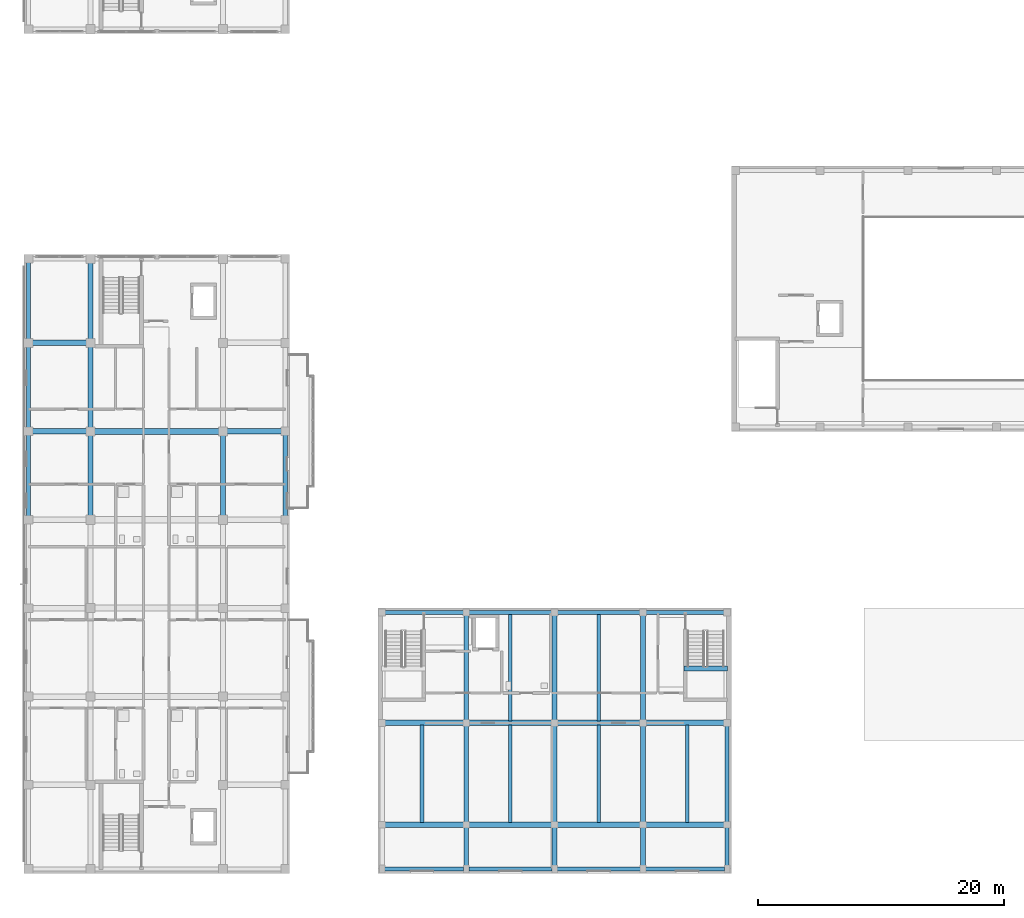
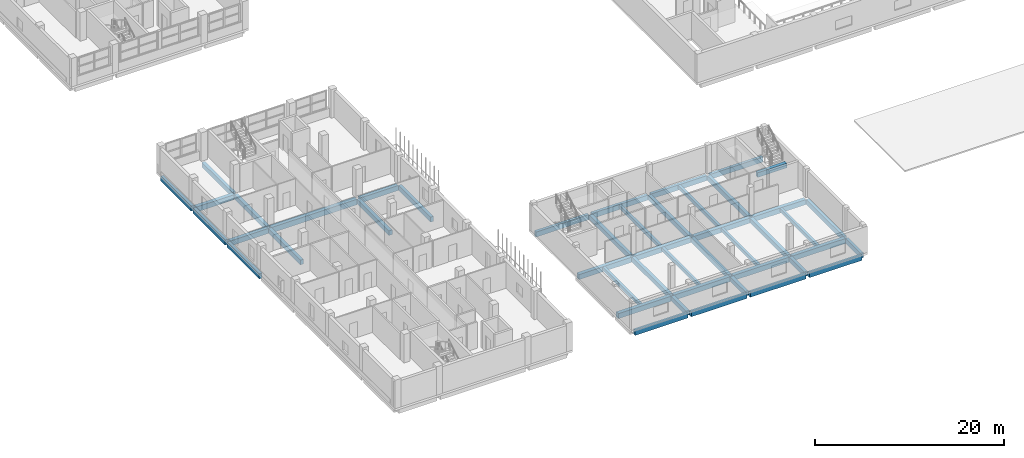
# One storey, part 9 of 73: 46 beams.
"""IFC4 building model written with IfcOpenShell, lengths in metres."""

from ifc_helpers import new_model, si_unit, derived_unit, direction, frame, origin, origin_2d, place, context, subcontext, project, spatial, rectangle, extrude, material, material_profile, profile_set, type_object, element, save


model = new_model("IFC4")

# Units and contexts
model_context = context("Model", 3, precision=1e-05, world=origin(), true_north=direction((0.0, 1.0)))
body_context = subcontext(model_context, "Body", "Model", "MODEL_VIEW")
ifc_project = project(units=[si_unit("LENGTHUNIT", "METRE"), si_unit("AREAUNIT", "SQUARE_METRE"), si_unit("VOLUMEUNIT", "CUBIC_METRE"), si_unit("PLANEANGLEUNIT", "RADIAN"), si_unit("MASSUNIT", "GRAM", prefix="KILO"), derived_unit("THERMALTRANSMITTANCEUNIT", [(si_unit("MASSUNIT", "GRAM", prefix="KILO"), 1), (si_unit("TIMEUNIT", "SECOND"), -3), (si_unit("THERMODYNAMICTEMPERATUREUNIT", "KELVIN"), -1)])], contexts=[model_context])

# Site, building, storey
site_placement = place(None, origin())
site = spatial("IfcSite", under=ifc_project, at=site_placement, CompositionType="ELEMENT")
building_placement = place(site_placement, origin())
building = spatial("IfcBuilding", under=site, at=building_placement, Name="Ochrekiln Boulevard Commons", CompositionType="ELEMENT")
storey_placement = place(building_placement, frame((0.0, 0.0, 4.89990234375)))
storey = spatial("IfcBuildingStorey", under=building, at=storey_placement, Name="L01", CompositionType="ELEMENT", Elevation=4.89990234375)

# Beams
ifc_material_1 = material(Name="Concrete C35/45", Category="concrete")
ifc_material_profile_1 = material_profile(ifc_material_1, rectangle(XDim=0.39990234375, YDim=0.60009765625, at=origin_2d()), Name="RC-BM-400x600")
ifc_profile_set_1 = profile_set([ifc_material_profile_1], Name="Concrete C35/45")
beam_type_1 = type_object("IfcBeamType", Name="BM-RC-400x600", PredefinedType="BEAM", material=ifc_profile_set_1)
for number, where, z_axis, x_axis, name in (
    (1, (5.39990234375, 29.010009765625, -0.559814453125), (0.0, 1.0, 0.0), (-1.0, 0.0, 0.0), "Block D L01 Beam B-4060 Y34"),
    (2, (5.39990234375, 36.2099609375, -0.559814453125), (0.0, 1.0, 0.0), (-1.0, 0.0, 0.0), "Block D L01 Beam B-4060 Y35"),
):
    element("IfcBeam", number, at=place(storey_placement, frame(where, z_axis=z_axis, x_axis=x_axis)), inside=storey, type_object=beam_type_1, Name=name, PredefinedType="BEAM", context=body_context, shape_type="SweptSolid", body=[
        extrude(rectangle(XDim=0.39990234375, YDim=0.60009765625, at=origin_2d()), origin(), (0.0, 0.0, 1.0), 6.780029296875),
    ])
beam_1_placement = place(storey_placement, frame((5.39990234375, 43.409912109375, -0.559814453125), z_axis=(0.0, 1.0, 0.0), x_axis=(-1.0, 0.0, 0.0)))
element("IfcBeam", 3, at=beam_1_placement, inside=storey, type_object=beam_type_1, Name="Block D L01 Beam B-4060 Y36", PredefinedType="BEAM", context=body_context, shape_type="SweptSolid", body=[
    extrude(rectangle(XDim=0.39990234375, YDim=0.60009765625, at=origin_2d()), origin(), (0.0, 0.0, 1.0), 6.43017578125),
])
beam_2_placement = place(storey_placement, frame((16.199951171875, 29.010009765625, -0.559814453125), z_axis=(0.0, 1.0, 0.0), x_axis=(-1.0, 0.0, 0.0)))
element("IfcBeam", 4, at=beam_2_placement, inside=storey, type_object=beam_type_1, Name="Block D L01 Beam B-4060 Y41", PredefinedType="BEAM", context=body_context, shape_type="SweptSolid", body=[
    extrude(rectangle(XDim=0.39990234375, YDim=0.60009765625, at=origin_2d()), origin(), (0.0, 0.0, 1.0), 6.780029296875),
])
beam_3_placement = place(storey_placement, frame((36.0, 0.56005859375, -0.574951171875), z_axis=(0.0, 1.0, 0.0), x_axis=(-1.0, 0.0, 0.0)))
element("IfcBeam", 5, at=beam_3_placement, inside=storey, type_object=beam_type_1, Name="West Boulevard Shops and Arcade L01 Beam B-4060 Y19", PredefinedType="BEAM", context=body_context, shape_type="SweptSolid", body=[
    extrude(rectangle(XDim=0.39990234375, YDim=0.60009765625, at=origin_2d()), origin(), (0.0, 0.0, 1.0), 3.179931640625),
])
beam_4_placement = place(storey_placement, frame((36.0, 4.159912109375, -0.574951171875), z_axis=(0.0, 1.0, 0.0), x_axis=(-1.0, 0.0, 0.0)))
element("IfcBeam", 6, at=beam_4_placement, inside=storey, type_object=beam_type_1, Name="West Boulevard Shops and Arcade L01 Beam B-4060 Y20", PredefinedType="BEAM", context=body_context, shape_type="SweptSolid", body=[
    extrude(rectangle(XDim=0.39990234375, YDim=0.60009765625, at=origin_2d()), origin(), (0.0, 0.0, 1.0), 7.880126953125),
])
beam_5_placement = place(storey_placement, frame((36.0, 12.4599609375, -0.574951171875), z_axis=(0.0, 1.0, 0.0), x_axis=(-1.0, 0.0, 0.0)))
element("IfcBeam", 7, at=beam_5_placement, inside=storey, type_object=beam_type_1, Name="West Boulevard Shops and Arcade L01 Beam B-4060 Y21", PredefinedType="BEAM", context=body_context, shape_type="SweptSolid", body=[
    extrude(rectangle(XDim=0.39990234375, YDim=0.60009765625, at=origin_2d()), origin(), (0.0, 0.0, 1.0), 8.580078125),
])
beam_6_placement = place(storey_placement, frame((43.199951171875, 0.56005859375, -0.574951171875), z_axis=(0.0, 1.0, 0.0), x_axis=(-1.0, 0.0, 0.0)))
element("IfcBeam", 8, at=beam_6_placement, inside=storey, type_object=beam_type_1, Name="West Boulevard Shops and Arcade L01 Beam B-4060 Y22", PredefinedType="BEAM", context=body_context, shape_type="SweptSolid", body=[
    extrude(rectangle(XDim=0.39990234375, YDim=0.60009765625, at=origin_2d()), origin(), (0.0, 0.0, 1.0), 3.179931640625),
])
beam_7_placement = place(storey_placement, frame((43.199951171875, 4.159912109375, -0.574951171875), z_axis=(0.0, 1.0, 0.0), x_axis=(-1.0, 0.0, 0.0)))
element("IfcBeam", 9, at=beam_7_placement, inside=storey, type_object=beam_type_1, Name="West Boulevard Shops and Arcade L01 Beam B-4060 Y23", PredefinedType="BEAM", context=body_context, shape_type="SweptSolid", body=[
    extrude(rectangle(XDim=0.39990234375, YDim=0.60009765625, at=origin_2d()), origin(), (0.0, 0.0, 1.0), 7.880126953125),
])
beam_8_placement = place(storey_placement, frame((43.199951171875, 12.4599609375, -0.574951171875), z_axis=(0.0, 1.0, 0.0), x_axis=(-1.0, 0.0, 0.0)))
element("IfcBeam", 10, at=beam_8_placement, inside=storey, type_object=beam_type_1, Name="West Boulevard Shops and Arcade L01 Beam B-4060 Y24", PredefinedType="BEAM", context=body_context, shape_type="SweptSolid", body=[
    extrude(rectangle(XDim=0.39990234375, YDim=0.60009765625, at=origin_2d()), origin(), (0.0, 0.0, 1.0), 8.580078125),
])
beam_9_placement = place(storey_placement, frame((50.39990234375, 0.56005859375, -0.574951171875), z_axis=(0.0, 1.0, 0.0), x_axis=(-1.0, 0.0, 0.0)))
element("IfcBeam", 11, at=beam_9_placement, inside=storey, type_object=beam_type_1, Name="West Boulevard Shops and Arcade L01 Beam B-4060 Y25", PredefinedType="BEAM", context=body_context, shape_type="SweptSolid", body=[
    extrude(rectangle(XDim=0.39990234375, YDim=0.60009765625, at=origin_2d()), origin(), (0.0, 0.0, 1.0), 3.179931640625),
])
beam_10_placement = place(storey_placement, frame((50.39990234375, 4.159912109375, -0.574951171875), z_axis=(0.0, 1.0, 0.0), x_axis=(-1.0, 0.0, 0.0)))
element("IfcBeam", 12, at=beam_10_placement, inside=storey, type_object=beam_type_1, Name="West Boulevard Shops and Arcade L01 Beam B-4060 Y26", PredefinedType="BEAM", context=body_context, shape_type="SweptSolid", body=[
    extrude(rectangle(XDim=0.39990234375, YDim=0.60009765625, at=origin_2d()), origin(), (0.0, 0.0, 1.0), 7.880126953125),
])
beam_11_placement = place(storey_placement, frame((50.39990234375, 12.4599609375, -0.574951171875), z_axis=(0.0, 1.0, 0.0), x_axis=(-1.0, 0.0, 0.0)))
element("IfcBeam", 13, at=beam_11_placement, inside=storey, type_object=beam_type_1, Name="West Boulevard Shops and Arcade L01 Beam B-4060 Y27", PredefinedType="BEAM", context=body_context, shape_type="SweptSolid", body=[
    extrude(rectangle(XDim=0.39990234375, YDim=0.60009765625, at=origin_2d()), origin(), (0.0, 0.0, 1.0), 8.580078125),
])
beam_12_placement = place(storey_placement, frame((53.719970703125, 16.679931640625, 1.32763671875), z_axis=(1.0, 0.0, 0.0), x_axis=(0.0, 1.0, 0.0)))
element("IfcBeam", 14, at=beam_12_placement, inside=storey, type_object=beam_type_1, Name="Stair ST-W2 L01 Half-Landing Support Beam B-4060", PredefinedType="BEAM", context=body_context, shape_type="SweptSolid", body=[
    extrude(rectangle(XDim=0.39990234375, YDim=0.60009765625, at=origin_2d()), origin(), (0.0, 0.0, 1.0), 3.56005859375),
])
ifc_material_profile_2 = material_profile(ifc_material_1, rectangle(XDim=0.449951171875, YDim=0.64990234375, at=origin_2d()), Name="RC-BM-450x650")
ifc_profile_set_2 = profile_set([ifc_material_profile_2], Name="Concrete C35/45")
beam_type_2 = type_object("IfcBeamType", Name="BM-RC-450x650", PredefinedType="BEAM", material=ifc_profile_set_2)
beam_13_placement = place(storey_placement, frame((0.56005859375, 36.0, -0.5849609375), z_axis=(1.0, 0.0, 0.0), x_axis=(0.0, 1.0, 0.0)))
element("IfcBeam", 15, at=beam_13_placement, inside=storey, type_object=beam_type_2, Name="Block D L01 Beam B-4565 X15", PredefinedType="BEAM", context=body_context, shape_type="SweptSolid", body=[
    extrude(rectangle(XDim=0.449951171875, YDim=0.64990234375, at=origin_2d()), origin(), (0.0, 0.0, 1.0), 4.6298828125),
])
beam_14_placement = place(storey_placement, frame((16.409912109375, 36.0, -0.5849609375), z_axis=(1.0, 0.0, 0.0), x_axis=(0.0, 1.0, 0.0)))
element("IfcBeam", 16, at=beam_14_placement, inside=storey, type_object=beam_type_2, Name="Block D L01 Beam B-4565 X17", PredefinedType="BEAM", context=body_context, shape_type="SweptSolid", body=[
    extrude(rectangle(XDim=0.449951171875, YDim=0.64990234375, at=origin_2d()), origin(), (0.0, 0.0, 1.0), 4.630126953125),
])
beam_15_placement = place(storey_placement, frame((0.56005859375, 43.199951171875, -0.5849609375), z_axis=(1.0, 0.0, 0.0), x_axis=(0.0, 1.0, 0.0)))
element("IfcBeam", 17, at=beam_15_placement, inside=storey, type_object=beam_type_2, Name="Block D L01 Beam B-4565 X18", PredefinedType="BEAM", context=body_context, shape_type="SweptSolid", body=[
    extrude(rectangle(XDim=0.449951171875, YDim=0.64990234375, at=origin_2d()), origin(), (0.0, 0.0, 1.0), 4.6298828125),
])
beam_16_placement = place(storey_placement, frame((29.360107421875, 3.949951171875, -0.599853515625), z_axis=(1.0, 0.0, 0.0), x_axis=(0.0, 1.0, 0.0)))
element("IfcBeam", 18, at=beam_16_placement, inside=storey, type_object=beam_type_2, Name="West Boulevard Shops and Arcade L01 Beam B-4565 X5", PredefinedType="BEAM", context=body_context, shape_type="SweptSolid", body=[
    extrude(rectangle(XDim=0.449951171875, YDim=0.64990234375, at=origin_2d()), origin(), (0.0, 0.0, 1.0), 6.429931640625),
])
for number, where, z_axis, x_axis, name in (
    (19, (36.2099609375, 3.949951171875, -0.599853515625), (1.0, 0.0, 0.0), (0.0, 1.0, 0.0), "West Boulevard Shops and Arcade L01 Beam B-4565 X6"),
    (20, (43.409912109375, 3.949951171875, -0.599853515625), (1.0, 0.0, 0.0), (0.0, 1.0, 0.0), "West Boulevard Shops and Arcade L01 Beam B-4565 X7"),
):
    element("IfcBeam", number, at=place(storey_placement, frame(where, z_axis=z_axis, x_axis=x_axis)), inside=storey, type_object=beam_type_2, Name=name, PredefinedType="BEAM", context=body_context, shape_type="SweptSolid", body=[
        extrude(rectangle(XDim=0.449951171875, YDim=0.64990234375, at=origin_2d()), origin(), (0.0, 0.0, 1.0), 6.780029296875),
    ])
for number, where, z_axis, x_axis, name in (
    (21, (50.610107421875, 3.949951171875, -0.599853515625), (1.0, 0.0, 0.0), (0.0, 1.0, 0.0), "West Boulevard Shops and Arcade L01 Beam B-4565 X8"),
    (22, (29.360107421875, 12.25, -0.599853515625), (1.0, 0.0, 0.0), (0.0, 1.0, 0.0), "West Boulevard Shops and Arcade L01 Beam B-4565 X9"),
):
    element("IfcBeam", number, at=place(storey_placement, frame(where, z_axis=z_axis, x_axis=x_axis)), inside=storey, type_object=beam_type_2, Name=name, PredefinedType="BEAM", context=body_context, shape_type="SweptSolid", body=[
        extrude(rectangle(XDim=0.449951171875, YDim=0.64990234375, at=origin_2d()), origin(), (0.0, 0.0, 1.0), 6.429931640625),
    ])
for number, where, z_axis, x_axis, name in (
    (23, (36.2099609375, 12.25, -0.599853515625), (1.0, 0.0, 0.0), (0.0, 1.0, 0.0), "West Boulevard Shops and Arcade L01 Beam B-4565 X10"),
    (24, (43.409912109375, 12.25, -0.599853515625), (1.0, 0.0, 0.0), (0.0, 1.0, 0.0), "West Boulevard Shops and Arcade L01 Beam B-4565 X11"),
):
    element("IfcBeam", number, at=place(storey_placement, frame(where, z_axis=z_axis, x_axis=x_axis)), inside=storey, type_object=beam_type_2, Name=name, PredefinedType="BEAM", context=body_context, shape_type="SweptSolid", body=[
        extrude(rectangle(XDim=0.449951171875, YDim=0.64990234375, at=origin_2d()), origin(), (0.0, 0.0, 1.0), 6.780029296875),
    ])
beam_17_placement = place(storey_placement, frame((50.610107421875, 12.25, -0.599853515625), z_axis=(1.0, 0.0, 0.0), x_axis=(0.0, 1.0, 0.0)))
element("IfcBeam", 25, at=beam_17_placement, inside=storey, type_object=beam_type_2, Name="West Boulevard Shops and Arcade L01 Beam B-4565 X12", PredefinedType="BEAM", context=body_context, shape_type="SweptSolid", body=[
    extrude(rectangle(XDim=0.449951171875, YDim=0.64990234375, at=origin_2d()), origin(), (0.0, 0.0, 1.0), 6.429931640625),
])
ifc_material_2 = material(Name="Concrete C40/50", Category="concrete")
ifc_material_profile_3 = material_profile(ifc_material_2, rectangle(XDim=0.5, YDim=0.699951171875, at=origin_2d()), Name="RC-BM-500x700")
ifc_profile_set_3 = profile_set([ifc_material_profile_3], Name="Concrete C40/50")
beam_type_3 = type_object("IfcBeamType", Name="BM-RC-500x700", PredefinedType="BEAM", material=ifc_profile_set_3)
beam_18_placement = place(storey_placement, frame((5.610107421875, 36.0, -0.60986328125), z_axis=(1.0, 0.0, 0.0), x_axis=(0.0, 1.0, 0.0)))
element("IfcBeam", 26, at=beam_18_placement, inside=storey, type_object=beam_type_3, Name="Block D L01 Beam B-5070 X16", PredefinedType="BEAM", context=body_context, shape_type="SweptSolid", body=[
    extrude(rectangle(XDim=0.5, YDim=0.699951171875, at=origin_2d()), origin(), (0.0, 0.0, 1.0), 10.3798828125),
])
ifc_material_profile_4 = material_profile(ifc_material_1, rectangle(XDim=0.300048828125, YDim=0.449951171875, at=origin_2d()), Name="RC-JST-300x450")
ifc_profile_set_4 = profile_set([ifc_material_profile_4], Name="Concrete C35/45")
beam_type_4 = type_object("IfcBeamType", Name="JST-RC-300x450", PredefinedType="JOIST", material=ifc_profile_set_4)
for number, where, z_axis, x_axis, name in (
    (27, (32.39990234375, 4.1201171875, -0.5), (0.0, 1.0, 0.0), (-1.0, 0.0, 0.0), "Boulevard Arcade L01 Floor Joist J-3045 (1)"),
    (28, (39.60009765625, 4.1201171875, -0.5), (0.0, 1.0, 0.0), (-1.0, 0.0, 0.0), "Boulevard Arcade L01 Floor Joist J-3045 (2)"),
):
    element("IfcBeam", number, at=place(storey_placement, frame(where, z_axis=z_axis, x_axis=x_axis)), inside=storey, type_object=beam_type_4, Name=name, PredefinedType="JOIST", context=body_context, shape_type="SweptSolid", body=[
        extrude(rectangle(XDim=0.300048828125, YDim=0.449951171875, at=origin_2d()), origin(), (0.0, 0.0, 1.0), 7.9599609375),
    ])
beam_19_placement = place(storey_placement, frame((39.60009765625, 12.419921875, -0.5), z_axis=(0.0, 1.0, 0.0), x_axis=(-1.0, 0.0, 0.0)))
element("IfcBeam", 29, at=beam_19_placement, inside=storey, type_object=beam_type_4, Name="Boulevard Arcade L01 Floor Joist J-3045 (3)", PredefinedType="JOIST", context=body_context, shape_type="SweptSolid", body=[
    extrude(rectangle(XDim=0.300048828125, YDim=0.449951171875, at=origin_2d()), origin(), (0.0, 0.0, 1.0), 8.66015625),
])
beam_20_placement = place(storey_placement, frame((46.800048828125, 4.1201171875, -0.5), z_axis=(0.0, 1.0, 0.0), x_axis=(-1.0, 0.0, 0.0)))
element("IfcBeam", 30, at=beam_20_placement, inside=storey, type_object=beam_type_4, Name="Boulevard Arcade L01 Floor Joist J-3045 (4)", PredefinedType="JOIST", context=body_context, shape_type="SweptSolid", body=[
    extrude(rectangle(XDim=0.300048828125, YDim=0.449951171875, at=origin_2d()), origin(), (0.0, 0.0, 1.0), 7.9599609375),
])
beam_21_placement = place(storey_placement, frame((46.800048828125, 12.419921875, -0.5), z_axis=(0.0, 1.0, 0.0), x_axis=(-1.0, 0.0, 0.0)))
element("IfcBeam", 31, at=beam_21_placement, inside=storey, type_object=beam_type_4, Name="Boulevard Arcade L01 Floor Joist J-3045 (5)", PredefinedType="JOIST", context=body_context, shape_type="SweptSolid", body=[
    extrude(rectangle(XDim=0.300048828125, YDim=0.449951171875, at=origin_2d()), origin(), (0.0, 0.0, 1.0), 8.66015625),
])
beam_22_placement = place(storey_placement, frame((54.0, 4.1201171875, -0.5), z_axis=(0.0, 1.0, 0.0), x_axis=(-1.0, 0.0, 0.0)))
element("IfcBeam", 32, at=beam_22_placement, inside=storey, type_object=beam_type_4, Name="Boulevard Arcade L01 Floor Joist J-3045 (6)", PredefinedType="JOIST", context=body_context, shape_type="SweptSolid", body=[
    extrude(rectangle(XDim=0.300048828125, YDim=0.449951171875, at=origin_2d()), origin(), (0.0, 0.0, 1.0), 7.9599609375),
])
ifc_material_profile_5 = material_profile(ifc_material_2, rectangle(XDim=0.35009765625, YDim=0.64990234375, at=origin_2d()), Name="RC-SPN-350x650")
ifc_profile_set_5 = profile_set([ifc_material_profile_5], Name="Concrete C40/50")
beam_type_5 = type_object("IfcBeamType", Name="SPN-RC-350x650", PredefinedType="SPANDREL", material=ifc_profile_set_5)
for number, where, z_axis, x_axis, name in (
    (33, (0.35009765625, 29.010009765625, -0.5849609375), (0.0, 1.0, 0.0), (-1.0, 0.0, 0.0), "Block D L01 Beam SP-3565 Y27"),
    (34, (0.35009765625, 36.2099609375, -0.5849609375), (0.0, 1.0, 0.0), (-1.0, 0.0, 0.0), "Block D L01 Beam SP-3565 Y28"),
):
    element("IfcBeam", number, at=place(storey_placement, frame(where, z_axis=z_axis, x_axis=x_axis)), inside=storey, type_object=beam_type_5, Name=name, PredefinedType="SPANDREL", context=body_context, shape_type="SweptSolid", body=[
        extrude(rectangle(XDim=0.35009765625, YDim=0.64990234375, at=origin_2d()), origin(), (0.0, 0.0, 1.0), 6.780029296875),
    ])
beam_23_placement = place(storey_placement, frame((0.35009765625, 43.409912109375, -0.5849609375), z_axis=(0.0, 1.0, 0.0), x_axis=(-1.0, 0.0, 0.0)))
element("IfcBeam", 35, at=beam_23_placement, inside=storey, type_object=beam_type_5, Name="Block D L01 Beam SP-3565 Y29", PredefinedType="SPANDREL", context=body_context, shape_type="SweptSolid", body=[
    extrude(rectangle(XDim=0.35009765625, YDim=0.64990234375, at=origin_2d()), origin(), (0.0, 0.0, 1.0), 6.43017578125),
])
beam_24_placement = place(storey_placement, frame((21.25, 29.010009765625, -0.5849609375), z_axis=(0.0, 1.0, 0.0), x_axis=(-1.0, 0.0, 0.0)))
element("IfcBeam", 36, at=beam_24_placement, inside=storey, type_object=beam_type_5, Name="Block D L01 Beam SP-3565 Y48", PredefinedType="SPANDREL", context=body_context, shape_type="SweptSolid", body=[
    extrude(rectangle(XDim=0.35009765625, YDim=0.64990234375, at=origin_2d()), origin(), (0.0, 0.0, 1.0), 6.780029296875),
])
beam_25_placement = place(storey_placement, frame((29.360107421875, 0.35009765625, -0.599853515625), z_axis=(1.0, 0.0, 0.0), x_axis=(0.0, 1.0, 0.0)))
element("IfcBeam", 37, at=beam_25_placement, inside=storey, type_object=beam_type_5, Name="West Boulevard Shops and Arcade L01 Beam SP-3565 X1", PredefinedType="SPANDREL", context=body_context, shape_type="SweptSolid", body=[
    extrude(rectangle(XDim=0.35009765625, YDim=0.64990234375, at=origin_2d()), origin(), (0.0, 0.0, 1.0), 6.429931640625),
])
for number, where, z_axis, x_axis, name in (
    (38, (36.2099609375, 0.35009765625, -0.599853515625), (1.0, 0.0, 0.0), (0.0, 1.0, 0.0), "West Boulevard Shops and Arcade L01 Beam SP-3565 X2"),
    (39, (43.409912109375, 0.35009765625, -0.599853515625), (1.0, 0.0, 0.0), (0.0, 1.0, 0.0), "West Boulevard Shops and Arcade L01 Beam SP-3565 X3"),
):
    element("IfcBeam", number, at=place(storey_placement, frame(where, z_axis=z_axis, x_axis=x_axis)), inside=storey, type_object=beam_type_5, Name=name, PredefinedType="SPANDREL", context=body_context, shape_type="SweptSolid", body=[
        extrude(rectangle(XDim=0.35009765625, YDim=0.64990234375, at=origin_2d()), origin(), (0.0, 0.0, 1.0), 6.780029296875),
    ])
for number, where, z_axis, x_axis, name in (
    (40, (50.610107421875, 0.35009765625, -0.599853515625), (1.0, 0.0, 0.0), (0.0, 1.0, 0.0), "West Boulevard Shops and Arcade L01 Beam SP-3565 X4"),
    (41, (29.360107421875, 21.25, -0.599853515625), (1.0, 0.0, 0.0), (0.0, 1.0, 0.0), "West Boulevard Shops and Arcade L01 Beam SP-3565 X13"),
):
    element("IfcBeam", number, at=place(storey_placement, frame(where, z_axis=z_axis, x_axis=x_axis)), inside=storey, type_object=beam_type_5, Name=name, PredefinedType="SPANDREL", context=body_context, shape_type="SweptSolid", body=[
        extrude(rectangle(XDim=0.35009765625, YDim=0.64990234375, at=origin_2d()), origin(), (0.0, 0.0, 1.0), 6.429931640625),
    ])
for number, where, z_axis, x_axis, name in (
    (42, (36.2099609375, 21.25, -0.599853515625), (1.0, 0.0, 0.0), (0.0, 1.0, 0.0), "West Boulevard Shops and Arcade L01 Beam SP-3565 X14"),
    (43, (43.409912109375, 21.25, -0.599853515625), (1.0, 0.0, 0.0), (0.0, 1.0, 0.0), "West Boulevard Shops and Arcade L01 Beam SP-3565 X15"),
):
    element("IfcBeam", number, at=place(storey_placement, frame(where, z_axis=z_axis, x_axis=x_axis)), inside=storey, type_object=beam_type_5, Name=name, PredefinedType="SPANDREL", context=body_context, shape_type="SweptSolid", body=[
        extrude(rectangle(XDim=0.35009765625, YDim=0.64990234375, at=origin_2d()), origin(), (0.0, 0.0, 1.0), 6.780029296875),
    ])
beam_26_placement = place(storey_placement, frame((50.610107421875, 21.25, -0.599853515625), z_axis=(1.0, 0.0, 0.0), x_axis=(0.0, 1.0, 0.0)))
element("IfcBeam", 44, at=beam_26_placement, inside=storey, type_object=beam_type_5, Name="West Boulevard Shops and Arcade L01 Beam SP-3565 X16", PredefinedType="SPANDREL", context=body_context, shape_type="SweptSolid", body=[
    extrude(rectangle(XDim=0.35009765625, YDim=0.64990234375, at=origin_2d()), origin(), (0.0, 0.0, 1.0), 6.429931640625),
])
beam_27_placement = place(storey_placement, frame((57.25, 0.56005859375, -0.599853515625), z_axis=(0.0, 1.0, 0.0), x_axis=(-1.0, 0.0, 0.0)))
element("IfcBeam", 45, at=beam_27_placement, inside=storey, type_object=beam_type_5, Name="West Boulevard Shops and Arcade L01 Beam SP-3565 Y28", PredefinedType="SPANDREL", context=body_context, shape_type="SweptSolid", body=[
    extrude(rectangle(XDim=0.35009765625, YDim=0.64990234375, at=origin_2d()), origin(), (0.0, 0.0, 1.0), 3.179931640625),
])
beam_28_placement = place(storey_placement, frame((57.25, 4.159912109375, -0.599853515625), z_axis=(0.0, 1.0, 0.0), x_axis=(-1.0, 0.0, 0.0)))
element("IfcBeam", 46, at=beam_28_placement, inside=storey, type_object=beam_type_5, Name="West Boulevard Shops and Arcade L01 Beam SP-3565 Y29", PredefinedType="SPANDREL", context=body_context, shape_type="SweptSolid", body=[
    extrude(rectangle(XDim=0.35009765625, YDim=0.64990234375, at=origin_2d()), origin(), (0.0, 0.0, 1.0), 7.880126953125),
])

save(model, "model.ifc")
